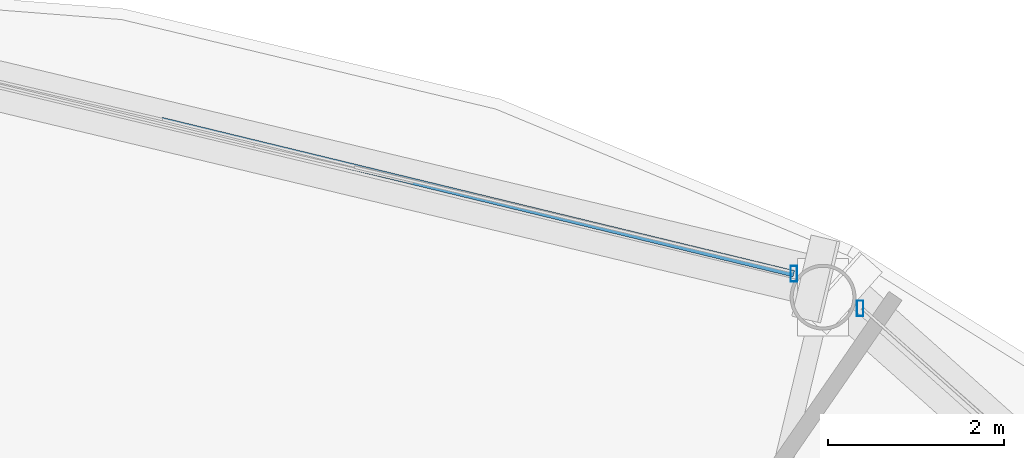
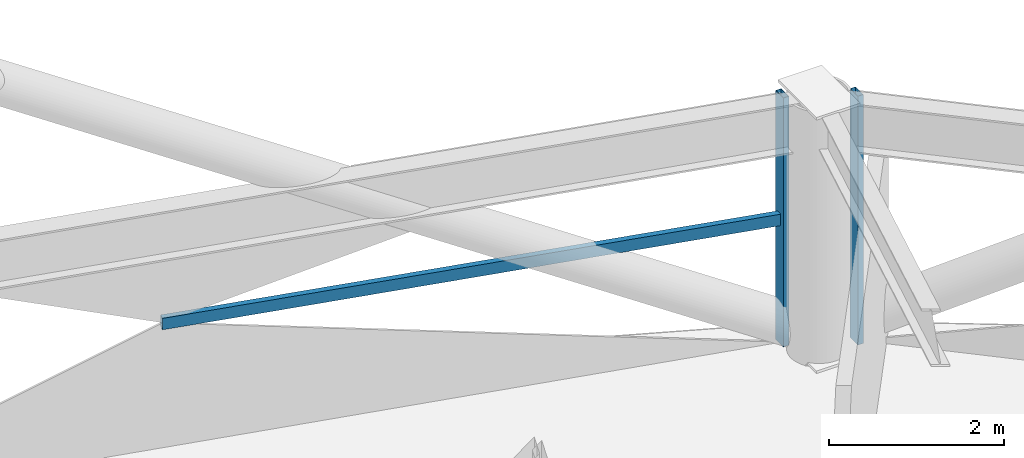
# One storey, part 19 of 29: 3 members, 2 elements without a shape of their own.
"""IFC4 building model written with IfcOpenShell, lengths in metres."""

import ifcopenshell
import ifcopenshell.guid

model = None  # the IFC model being written
_history = None  # IfcOwnerHistory: only IFC2X3 demands one
_inside = {}  # id of a spatial element -> (the spatial element, [elements in it])
_under = {}  # id of a project, library or spatial element -> (it, [spatial elements below it])
_declared = {}  # id of a project -> (the project, [libraries it declares])
_typed = {}  # id of a type object -> (the type object, [elements of that type])
_made_of = {}  # id of a material, layer set ... -> (it, [elements and type objects made of it])


def new_model(schema):
    """Start an empty IFC model of exactly this schema.

    Asked for "IFC4X3", IfcOpenShell would pick the latest addendum, in which some entities
    have other attributes; the version numbers below select the first issue.
    IFC2X3 requires an IfcOwnerHistory on every rooted entity: one is made here for all.
    """
    global model, _history
    if schema == "IFC4X3":
        model = ifcopenshell.file(schema_version=(4, 3, 0, 0))
    else:
        model = ifcopenshell.file(schema=schema)
    _inside.clear()
    _under.clear()
    _declared.clear()
    _typed.clear()
    _made_of.clear()
    _history = None
    if model.schema == "IFC2X3":
        org = make("IfcOrganization", Name="unknown")
        user = make(
            "IfcPersonAndOrganization",
            ThePerson=make("IfcPerson", FamilyName="unknown"),
            TheOrganization=org,
        )
        app = make(
            "IfcApplication",
            ApplicationDeveloper=org,
            Version="unknown",
            ApplicationFullName="unknown",
            ApplicationIdentifier="unknown",
        )
        _history = make(
            "IfcOwnerHistory",
            OwningUser=user,
            OwningApplication=app,
            ChangeAction="ADDED",
            CreationDate=0,
        )
    return model


def make(cls, **values):
    """One entity of the class cls with the attributes given. An attribute that is None is left unset."""
    return model.create_entity(
        cls, **{name: value for name, value in values.items() if value is not None}
    )


def rooted(cls, **values):
    """An entity with a GlobalId (a new one), such as an element, a storey or a relation."""
    return make(cls, GlobalId=ifcopenshell.guid.new(), OwnerHistory=_history, **values)


def si_unit(unit_type, name, prefix=None):
    """IfcSIUnit, for example si_unit("LENGTHUNIT", "METRE", prefix="MILLI")."""
    return make("IfcSIUnit", UnitType=unit_type, Prefix=prefix, Name=name)


def assignment(units):
    """IfcUnitAssignment: the units of a project."""
    return None if units is None else make("IfcUnitAssignment", Units=units)


def point(xyz):
    """IfcCartesianPoint."""
    return None if xyz is None else make("IfcCartesianPoint", Coordinates=xyz)


def direction(xyz):
    """IfcDirection."""
    return None if xyz is None else make("IfcDirection", DirectionRatios=xyz)


def frame(location, z_axis=None, x_axis=None):
    """IfcAxis2Placement3D, a coordinate frame: its origin and axes. An axis left out is left unset."""
    return make(
        "IfcAxis2Placement3D",
        Location=point(location),
        Axis=direction(z_axis),
        RefDirection=direction(x_axis),
    )


def frame_2d(location, x_axis=None):
    """IfcAxis2Placement2D, a coordinate frame in the plane: its origin and x axis."""
    return make(
        "IfcAxis2Placement2D", Location=point(location), RefDirection=direction(x_axis)
    )


def origin():
    """The frame at (0, 0, 0) with its axes left unset."""
    return frame((0.0, 0.0, 0.0))


def origin_2d():
    """The frame at (0, 0) in the plane with its x axis left unset."""
    return frame_2d((0.0, 0.0))


def place(relative_to, where):
    """IfcLocalPlacement: puts the frame where relative to a parent placement (None: the world)."""
    return make(
        "IfcLocalPlacement", PlacementRelTo=relative_to, RelativePlacement=where
    )


def context(
    kind, dimensions, precision=None, world=None, true_north=None, identifier=None
):
    """IfcGeometricRepresentationContext, for example the 3D "Model" context."""
    return make(
        "IfcGeometricRepresentationContext",
        ContextIdentifier=identifier,
        ContextType=kind,
        CoordinateSpaceDimension=dimensions,
        Precision=precision,
        WorldCoordinateSystem=world,
        TrueNorth=true_north,
    )


def subcontext(parent, identifier, kind, view, scale=None):
    """IfcGeometricRepresentationSubContext, for example "Body" below "Model"."""
    return make(
        "IfcGeometricRepresentationSubContext",
        ContextIdentifier=identifier,
        ContextType=kind,
        ParentContext=parent,
        TargetScale=scale,
        TargetView=view,
    )


def project(units=None, contexts=None):
    """IfcProject with its units and contexts."""
    return rooted(
        "IfcProject",
        Name="project",
        RepresentationContexts=contexts,
        UnitsInContext=assignment(units),
    )


def spatial(cls, under=None, at=None, **own):
    """A site, building, storey or space (cls), placed at a placement, below another one or the project."""
    s = rooted(cls, ObjectPlacement=at, **own)
    if under is not None:
        _under.setdefault(under.id(), (under, []))[1].append(s)
    return s


def profile(cls, at=None, kind="AREA", **sizes):
    """A parametric profile (cls). Its sizes go by their IFC names, for example OverallWidth=200.0."""
    return make(cls, ProfileType=kind, Position=at, **sizes)


def hollow_rectangle(**sizes):
    """IfcRectangleHollowProfileDef."""
    return profile("IfcRectangleHollowProfileDef", **sizes)


def extrude(swept, where, along, depth):
    """IfcExtrudedAreaSolid: the profile swept, set in the frame where, extruded along a direction by depth."""
    return make(
        "IfcExtrudedAreaSolid",
        SweptArea=swept,
        Position=where,
        ExtrudedDirection=direction(along),
        Depth=depth,
    )


def shape(context_of_items, identifier, shape_type, items):
    """IfcShapeRepresentation: the items that make up one representation, for example the "Body"."""
    return make(
        "IfcShapeRepresentation",
        ContextOfItems=context_of_items,
        RepresentationIdentifier=identifier,
        RepresentationType=shape_type,
        Items=items,
    )


def material(Name=None, Category=None):
    """IfcMaterial."""
    return make("IfcMaterial", Name=Name, Category=Category)


def layer(
    of_material, thickness, ventilated=None, Name=None, Category=None, Priority=None
):
    """IfcMaterialLayer: one layer of a wall or slab, of a material (None: an air gap)."""
    return make(
        "IfcMaterialLayer",
        Material=of_material,
        LayerThickness=thickness,
        IsVentilated=ventilated,
        Name=Name,
        Category=Category,
        Priority=Priority,
    )


def layer_set(layers, Name=None):
    """IfcMaterialLayerSet."""
    return make("IfcMaterialLayerSet", MaterialLayers=layers, LayerSetName=Name)


def material_profile(
    of_material, cross_section, Name=None, Category=None, Priority=None
):
    """IfcMaterialProfile: a cross section and its material."""
    return make(
        "IfcMaterialProfile",
        Name=Name,
        Material=of_material,
        Profile=cross_section,
        Priority=Priority,
        Category=Category,
    )


def profile_set(profiles, Name=None, composite=None):
    """IfcMaterialProfileSet."""
    return make(
        "IfcMaterialProfileSet",
        Name=Name,
        MaterialProfiles=profiles,
        CompositeProfile=composite,
    )


def made_of(thing, what):
    """Note that an element or type object is made of a material, layer set ...; save() writes the relation."""
    if what is not None:
        _made_of.setdefault(what.id(), (what, []))[1].append(thing)
    return thing


def type_object(cls, material=None, **own):
    """A type object (cls), such as IfcWallType, which elements share."""
    return made_of(rooted(cls, **own), material)


def element(
    cls,
    number,
    at=None,
    inside=None,
    cuts=None,
    type_object=None,
    material=None,
    context=None,
    identifier="Body",
    shape_type=None,
    held_by="IfcProductDefinitionShape",
    body=None,
    shapes=None,
    **own,
):
    """One element of the class cls, such as IfcWall. Its Tag is "e" and its number.

    at: its placement. inside: the storey or other place that contains it. cuts: it is an
    opening in that element (IfcRelVoidsElement). A single representation is given by context,
    identifier, shape_type and body (its items); several are given by shapes. held_by: the class
    of the entity that holds the representations. save() writes the other relations.
    """
    e = rooted(cls, Tag="e%d" % number, ObjectPlacement=at, **own)
    if body is not None:
        shapes = [shape(context, identifier, shape_type, body)]
    if shapes is not None:
        e.Representation = make(held_by, Representations=shapes)
    if inside is not None:
        _inside.setdefault(inside.id(), (inside, []))[1].append(e)
    if cuts is not None:
        rooted(
            "IfcRelVoidsElement", RelatingBuildingElement=cuts, RelatedOpeningElement=e
        )
    if type_object is not None:
        _typed.setdefault(type_object.id(), (type_object, []))[1].append(e)
    return made_of(e, material)


def aggregate(whole, parts):
    """IfcRelAggregates: a whole, such as a stair, and the parts it consists of."""
    return rooted("IfcRelAggregates", RelatingObject=whole, RelatedObjects=parts)


def save(model, path):
    """Write the relations noted so far, then the file.

    IfcRelAggregates (storeys below a building ...), IfcRelContainedInSpatialStructure (elements
    in a storey), IfcRelDefinesByType, IfcRelAssociatesMaterial and IfcRelDeclares: one each for
    every whole, place, type object, material and project.
    """
    for whole, parts in _under.values():
        aggregate(whole, parts)
    for where, things in _inside.values():
        rooted(
            "IfcRelContainedInSpatialStructure",
            RelatedElements=things,
            RelatingStructure=where,
        )
    for kind, things in _typed.values():
        rooted("IfcRelDefinesByType", RelatedObjects=things, RelatingType=kind)
    for what, things in _made_of.values():
        rooted("IfcRelAssociatesMaterial", RelatedObjects=things, RelatingMaterial=what)
    for by, libraries in _declared.values():
        rooted("IfcRelDeclares", RelatingContext=by, RelatedDefinitions=libraries)
    model.write(path)


model = new_model("IFC4")

# Units and contexts
model_context = context("Model", 3, precision=1e-05, world=origin(), true_north=direction((0.0, 1.0)))
body_context = subcontext(model_context, "Body", "Model", "MODEL_VIEW")
ifc_project = project(units=[si_unit("LENGTHUNIT", "METRE"), si_unit("AREAUNIT", "SQUARE_METRE"), si_unit("VOLUMEUNIT", "CUBIC_METRE"), si_unit("PLANEANGLEUNIT", "RADIAN"), si_unit("MASSUNIT", "GRAM", prefix="KILO")], contexts=[model_context])

# Site, building, storey
site_placement = place(None, origin())
site = spatial("IfcSite", under=ifc_project, at=site_placement, CompositionType="ELEMENT")
building_placement = place(site_placement, origin())
building = spatial("IfcBuilding", under=site, at=building_placement, Name="Vantalir Tower", CompositionType="ELEMENT")
storey_placement = place(building_placement, frame((0.0, 0.0, 149.699951171875)))
storey = spatial("IfcBuildingStorey", under=building, at=storey_placement, Name="L37", CompositionType="ELEMENT", Elevation=149.699951171875)

# Curtain wall, member
ifc_material_1 = material(Name="Champagne-silver PVDF aluminium and double-silver Low-E glass", Category="aluminium")
ifc_layer = layer(ifc_material_1, 0.199951171875)
ifc_layer_set = layer_set([ifc_layer], Name="Champagne-silver PVDF aluminium and double-silver Low-E glass")
curtain_wall_type = type_object("IfcCurtainWallType", Name="CW-DIAMOND-Z2", PredefinedType="USERDEFINED", material=ifc_layer_set)
curtain_wall_1_placement = place(storey_placement, origin())
curtain_wall_1 = element("IfcCurtainWall", 1, at=curtain_wall_1_placement, inside=storey, type_object=curtain_wall_type, Name="L37 Quilted Pyramid-Diamond Curtain Wall S02", ObjectType="UNITISED CURTAIN WALL", PredefinedType="USERDEFINED")
ifc_material_2 = material(Name="Champagne-silver PVDF aluminium 6063-T6", Category="aluminium")
ifc_material_profile_1 = material_profile(ifc_material_2, hollow_rectangle(XDim=0.074951171875, YDim=0.179931640625, WallThickness=0.00390625, at=origin_2d()), Name="Champagne-silver PVDF aluminium 6063-T6")
ifc_profile_set_1 = profile_set([ifc_material_profile_1], Name="Champagne-silver PVDF aluminium 6063-T6")
member_type_1 = type_object("IfcMemberType", Name="CWM-180x75", PredefinedType="MULLION", material=ifc_profile_set_1)
member_1_placement = place(storey_placement, frame((44.31494140625, 43.98388671875, 0.045166015625), z_axis=(0.0, 0.0, 1.0), x_axis=(1.0, 0.0, 0.0)))
member_1 = element("IfcMember", 2, at=member_1_placement, type_object=member_type_1, Name="CW-L37-S02 Mullion 2", PredefinedType="MULLION", context=body_context, shape_type="SweptSolid", body=[
    extrude(hollow_rectangle(XDim=0.074951171875, YDim=0.179931640625, WallThickness=0.00390625, at=origin_2d()), origin(), (0.0, 0.0, 1.0), 3.47998046875),
])
aggregate(curtain_wall_1, [member_1])

# Curtain wall, members
curtain_wall_2_placement = place(storey_placement, origin())
curtain_wall_2 = element("IfcCurtainWall", 3, at=curtain_wall_2_placement, inside=storey, type_object=curtain_wall_type, Name="L37 Quilted Pyramid-Diamond Curtain Wall S03", ObjectType="UNITISED CURTAIN WALL", PredefinedType="USERDEFINED")
member_2_placement = place(storey_placement, frame((43.55908203125, 44.37890625, 0.045166015625), z_axis=(0.0, 0.0, 1.0), x_axis=(1.0, 0.0, 0.0)))
member_2 = element("IfcMember", 4, at=member_2_placement, type_object=member_type_1, Name="CW-L37-S03 Mullion 1", PredefinedType="MULLION", context=body_context, shape_type="SweptSolid", body=[
    extrude(hollow_rectangle(XDim=0.074951171875, YDim=0.179931640625, WallThickness=0.00390625, at=origin_2d()), origin(), (0.0, 0.0, 1.0), 3.47998046875),
])
ifc_material_profile_2 = material_profile(ifc_material_2, hollow_rectangle(XDim=0.074951171875, YDim=0.159912109375, WallThickness=0.00390625, at=origin_2d()), Name="Champagne-silver PVDF aluminium 6063-T6")
ifc_profile_set_2 = profile_set([ifc_material_profile_2], Name="Champagne-silver PVDF aluminium 6063-T6")
member_type_2 = type_object("IfcMemberType", Name="CWT-160x75", PredefinedType="USERDEFINED", material=ifc_profile_set_2)
member_3_placement = place(storey_placement, frame((43.55908203125, 44.37890625, 1.78515625), z_axis=(-0.971875687696, 0.235494474807, 0.0), x_axis=(-0.235494474807, -0.971875687696, 0.0)))
member_3 = element("IfcMember", 5, at=member_3_placement, type_object=member_type_2, Name="CW-L37-S03 Pyramid Fold Ridge Transom", ObjectType="TRANSOM", PredefinedType="USERDEFINED", context=body_context, shape_type="SweptSolid", body=[
    extrude(hollow_rectangle(XDim=0.074951171875, YDim=0.159912109375, WallThickness=0.00390625, at=origin_2d()), origin(), (0.0, 0.0, 1.0), 7.41455078125),
])
aggregate(curtain_wall_2, [member_2, member_3])

save(model, "model.ifc")
